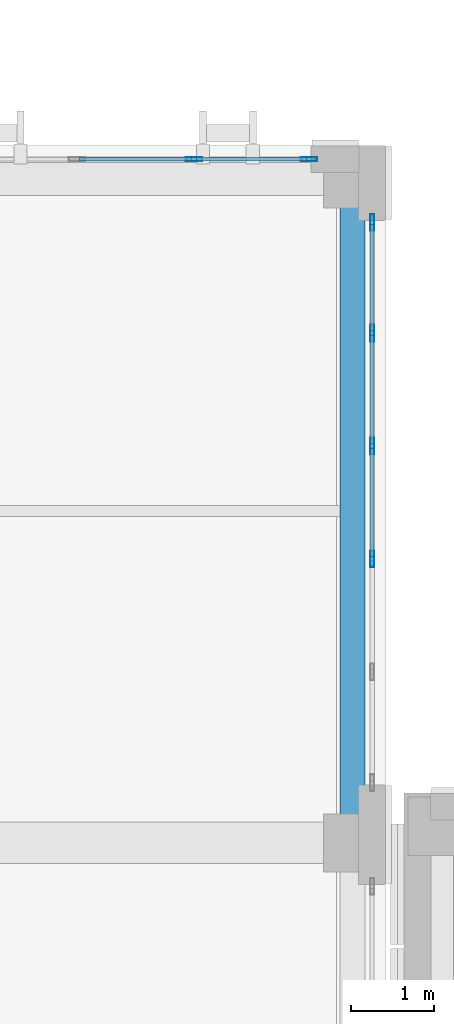
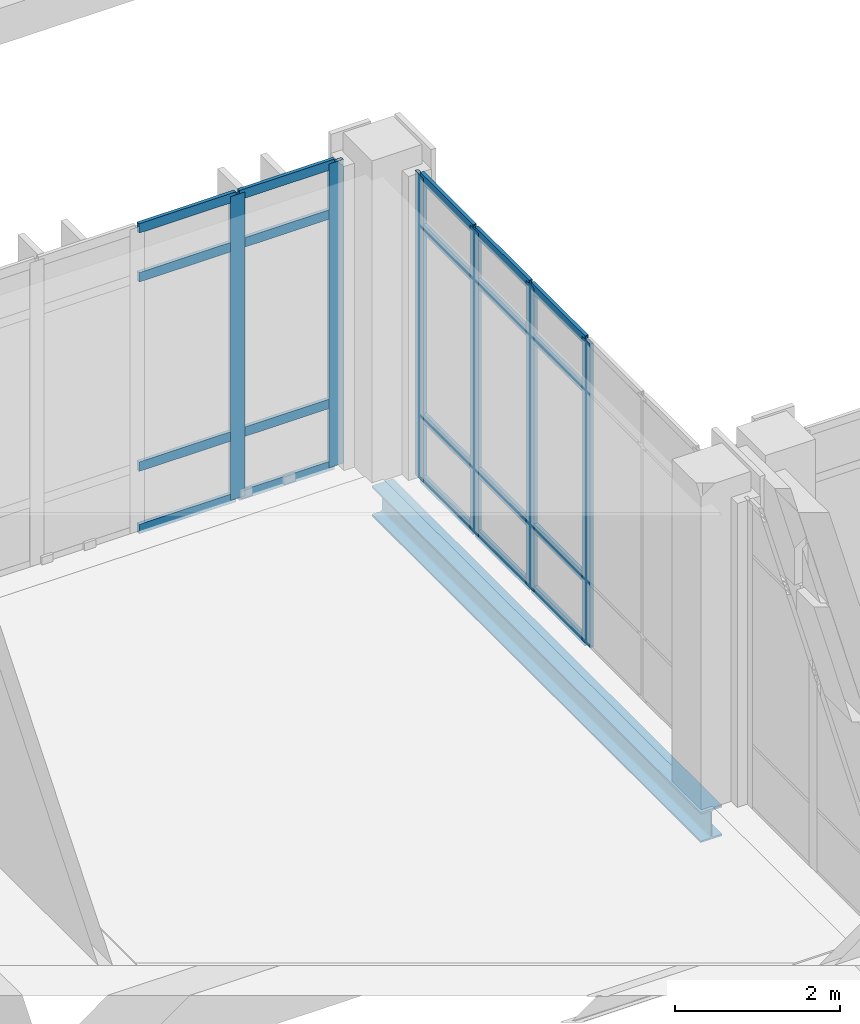
# One storey, part 52 of 189: 26 members, 1 beam, 2 elements without a shape of their own.
"""IFC4 building model written with IfcOpenShell, lengths in metres."""

from ifc_helpers import new_model, si_unit, direction, frame, origin, origin_2d, place, context, subcontext, project, spatial, hollow_rectangle, i_section, extrude, material, layer, layer_set, material_profile, profile_set, type_object, element, aggregate, save


model = new_model("IFC4")

# Units and contexts
model_context = context("Model", 3, precision=1e-05, world=origin(), true_north=direction((0.0, 1.0)))
body_context = subcontext(model_context, "Body", "Model", "MODEL_VIEW")
ifc_project = project(units=[si_unit("LENGTHUNIT", "METRE"), si_unit("AREAUNIT", "SQUARE_METRE"), si_unit("VOLUMEUNIT", "CUBIC_METRE"), si_unit("PLANEANGLEUNIT", "RADIAN"), si_unit("MASSUNIT", "GRAM", prefix="KILO")], contexts=[model_context])

# Site, building, storey
site_placement = place(None, origin())
site = spatial("IfcSite", under=ifc_project, at=site_placement, CompositionType="ELEMENT")
building_placement = place(site_placement, origin())
building = spatial("IfcBuilding", under=site, at=building_placement, Name="Qalavern Law Courts", CompositionType="ELEMENT")
storey_placement = place(building_placement, frame((0.0, 0.0, 5.39990234375)))
storey = spatial("IfcBuildingStorey", under=building, at=storey_placement, Name="L01", CompositionType="ELEMENT", Elevation=5.39990234375)

# Curtain wall, members
ifc_material_1 = material(Name="Anodised aluminium and insulated glazing", Category="aluminium")
ifc_layer = layer(ifc_material_1, 0.18505859375)
ifc_layer_set = layer_set([ifc_layer], Name="Anodised aluminium and insulated glazing")
curtain_wall_type = type_object("IfcCurtainWallType", Name="ENV-CW-HALL", PredefinedType="USERDEFINED", material=ifc_layer_set)
curtain_wall_1_placement = place(storey_placement, origin())
curtain_wall_1 = element("IfcCurtainWall", 1, at=curtain_wall_1_placement, inside=storey, type_object=curtain_wall_type, Name="V2 unitised curtain wall L01 east 2", ObjectType="UNITISED CURTAIN WALL", PredefinedType="USERDEFINED")
ifc_material_2 = material(Name="Anodised aluminium", Category="aluminium")
ifc_material_profile_1 = material_profile(ifc_material_2, hollow_rectangle(XDim=0.048095703125, YDim=0.199951171875, WallThickness=0.00439453125, at=origin_2d()), Name="ALU MULLION 48x200")
ifc_profile_set_1 = profile_set([ifc_material_profile_1], Name="Anodised aluminium")
member_type_1 = type_object("IfcMemberType", Name="ENV-CWM-48x200", PredefinedType="MULLION", material=ifc_profile_set_1)
member_1_placement = place(storey_placement, frame((101.03759765625, 25.419921875, 0.0), z_axis=(0.0, 0.0, 1.0), x_axis=(-1.0, 0.0, 0.0)))
member_1 = element("IfcMember", 2, at=member_1_placement, type_object=member_type_1, Name="CW-02 mullion 3", PredefinedType="MULLION", context=body_context, shape_type="SweptSolid", body=[
    extrude(hollow_rectangle(XDim=0.048095703125, YDim=0.199951171875, WallThickness=0.00439453125, at=origin_2d()), origin(), (0.0, 0.0, 1.0), 4.510009765625),
])
member_2_placement = place(storey_placement, frame((101.03759765625, 26.780029296875, 0.0), z_axis=(0.0, 0.0, 1.0), x_axis=(-1.0, 0.0, 0.0)))
member_2 = element("IfcMember", 3, at=member_2_placement, type_object=member_type_1, Name="CW-02 mullion 4", PredefinedType="MULLION", context=body_context, shape_type="SweptSolid", body=[
    extrude(hollow_rectangle(XDim=0.048095703125, YDim=0.199951171875, WallThickness=0.00439453125, at=origin_2d()), origin(), (0.0, 0.0, 1.0), 4.510009765625),
])
member_3_placement = place(storey_placement, frame((101.03759765625, 28.139892578125, 0.0), z_axis=(0.0, 0.0, 1.0), x_axis=(-1.0, 0.0, 0.0)))
member_3 = element("IfcMember", 4, at=member_3_placement, type_object=member_type_1, Name="CW-02 mullion 5", PredefinedType="MULLION", context=body_context, shape_type="SweptSolid", body=[
    extrude(hollow_rectangle(XDim=0.048095703125, YDim=0.199951171875, WallThickness=0.00439453125, at=origin_2d()), origin(), (0.0, 0.0, 1.0), 4.510009765625),
])
member_4_placement = place(storey_placement, frame((101.03759765625, 29.47607421875, 0.0), z_axis=(0.0, 0.0, 1.0), x_axis=(-1.0, 0.0, 0.0)))
member_4 = element("IfcMember", 5, at=member_4_placement, type_object=member_type_1, Name="CW-02 mullion 6", PredefinedType="MULLION", context=body_context, shape_type="SweptSolid", body=[
    extrude(hollow_rectangle(XDim=0.048095703125, YDim=0.199951171875, WallThickness=0.00439453125, at=origin_2d()), origin(), (0.0, 0.0, 1.0), 4.510009765625),
])

curtain_wall_2_placement = place(storey_placement, origin())
curtain_wall_2 = element("IfcCurtainWall", 6, at=curtain_wall_2_placement, inside=storey, type_object=curtain_wall_type, Name="V2 unitised curtain wall L01 north 1", ObjectType="UNITISED CURTAIN WALL", PredefinedType="USERDEFINED")
member_5_placement = place(storey_placement, frame((100.27587890625, 30.237548828125, 0.0), z_axis=(0.0, 0.0, 1.0), x_axis=(0.0, -1.0, 0.0)))
member_5 = element("IfcMember", 7, at=member_5_placement, type_object=member_type_1, Name="CW-02 mullion 1", PredefinedType="MULLION", context=body_context, shape_type="SweptSolid", body=[
    extrude(hollow_rectangle(XDim=0.048095703125, YDim=0.199951171875, WallThickness=0.00439453125, at=origin_2d()), origin(), (0.0, 0.0, 1.0), 4.510009765625),
])
member_6_placement = place(storey_placement, frame((98.890869140625, 30.237548828125, 0.0), z_axis=(0.0, 0.0, 1.0), x_axis=(0.0, -1.0, 0.0)))
member_6 = element("IfcMember", 8, at=member_6_placement, type_object=member_type_1, Name="CW-02 mullion 2", PredefinedType="MULLION", context=body_context, shape_type="SweptSolid", body=[
    extrude(hollow_rectangle(XDim=0.048095703125, YDim=0.199951171875, WallThickness=0.00439453125, at=origin_2d()), origin(), (0.0, 0.0, 1.0), 4.510009765625),
])

# Member
ifc_material_profile_2 = material_profile(ifc_material_2, hollow_rectangle(XDim=0.048095703125, YDim=0.139892578125, WallThickness=0.00390625, at=origin_2d()), Name="ALU TRANSOM 48x140")
ifc_profile_set_2 = profile_set([ifc_material_profile_2], Name="Anodised aluminium")
member_type_2 = type_object("IfcMemberType", Name="ENV-CWT-48x140", PredefinedType="USERDEFINED", material=ifc_profile_set_2)
member_7_placement = place(storey_placement, frame((101.03759765625, 25.444091796875, 0.024169921875), z_axis=(0.0, 1.0, 0.0), x_axis=(-1.0, 0.0, 0.0)))
member_7 = element("IfcMember", 9, at=member_7_placement, type_object=member_type_2, Name="CW-02 transom 3.1", ObjectType="TRANSOM", PredefinedType="USERDEFINED", context=body_context, shape_type="SweptSolid", body=[
    extrude(hollow_rectangle(XDim=0.048095703125, YDim=0.139892578125, WallThickness=0.00390625, at=origin_2d()), origin(), (0.0, 0.0, 1.0), 1.31201171875),
])

member_8_placement = place(storey_placement, frame((101.03759765625, 25.444091796875, 0.9501953125), z_axis=(0.0, 1.0, 0.0), x_axis=(-1.0, 0.0, 0.0)))
member_8 = element("IfcMember", 10, at=member_8_placement, type_object=member_type_2, Name="CW-02 transom 3.2", ObjectType="TRANSOM", PredefinedType="USERDEFINED", context=body_context, shape_type="SweptSolid", body=[
    extrude(hollow_rectangle(XDim=0.048095703125, YDim=0.139892578125, WallThickness=0.00390625, at=origin_2d()), origin(), (0.0, 0.0, 1.0), 1.31201171875),
])

member_9_placement = place(storey_placement, frame((101.03759765625, 25.444091796875, 3.760009765625), z_axis=(0.0, 1.0, 0.0), x_axis=(-1.0, 0.0, 0.0)))
member_9 = element("IfcMember", 11, at=member_9_placement, type_object=member_type_2, Name="CW-02 transom 3.3", ObjectType="TRANSOM", PredefinedType="USERDEFINED", context=body_context, shape_type="SweptSolid", body=[
    extrude(hollow_rectangle(XDim=0.048095703125, YDim=0.139892578125, WallThickness=0.00390625, at=origin_2d()), origin(), (0.0, 0.0, 1.0), 1.31201171875),
])

member_10_placement = place(storey_placement, frame((101.03759765625, 25.444091796875, 4.486083984375), z_axis=(0.0, 1.0, 0.0), x_axis=(-1.0, 0.0, 0.0)))
member_10 = element("IfcMember", 12, at=member_10_placement, type_object=member_type_2, Name="CW-02 transom 3.4", ObjectType="TRANSOM", PredefinedType="USERDEFINED", context=body_context, shape_type="SweptSolid", body=[
    extrude(hollow_rectangle(XDim=0.048095703125, YDim=0.139892578125, WallThickness=0.00390625, at=origin_2d()), origin(), (0.0, 0.0, 1.0), 1.31201171875),
])

member_11_placement = place(storey_placement, frame((101.03759765625, 26.803955078125, 0.024169921875), z_axis=(0.0, 1.0, 0.0), x_axis=(-1.0, 0.0, 0.0)))
member_11 = element("IfcMember", 13, at=member_11_placement, type_object=member_type_2, Name="CW-02 transom 4.1", ObjectType="TRANSOM", PredefinedType="USERDEFINED", context=body_context, shape_type="SweptSolid", body=[
    extrude(hollow_rectangle(XDim=0.048095703125, YDim=0.139892578125, WallThickness=0.00390625, at=origin_2d()), origin(), (0.0, 0.0, 1.0), 1.31201171875),
])

member_12_placement = place(storey_placement, frame((101.03759765625, 26.803955078125, 0.9501953125), z_axis=(0.0, 1.0, 0.0), x_axis=(-1.0, 0.0, 0.0)))
member_12 = element("IfcMember", 14, at=member_12_placement, type_object=member_type_2, Name="CW-02 transom 4.2", ObjectType="TRANSOM", PredefinedType="USERDEFINED", context=body_context, shape_type="SweptSolid", body=[
    extrude(hollow_rectangle(XDim=0.048095703125, YDim=0.139892578125, WallThickness=0.00390625, at=origin_2d()), origin(), (0.0, 0.0, 1.0), 1.31201171875),
])

member_13_placement = place(storey_placement, frame((101.03759765625, 26.803955078125, 3.760009765625), z_axis=(0.0, 1.0, 0.0), x_axis=(-1.0, 0.0, 0.0)))
member_13 = element("IfcMember", 15, at=member_13_placement, type_object=member_type_2, Name="CW-02 transom 4.3", ObjectType="TRANSOM", PredefinedType="USERDEFINED", context=body_context, shape_type="SweptSolid", body=[
    extrude(hollow_rectangle(XDim=0.048095703125, YDim=0.139892578125, WallThickness=0.00390625, at=origin_2d()), origin(), (0.0, 0.0, 1.0), 1.31201171875),
])

member_14_placement = place(storey_placement, frame((101.03759765625, 26.803955078125, 4.486083984375), z_axis=(0.0, 1.0, 0.0), x_axis=(-1.0, 0.0, 0.0)))
member_14 = element("IfcMember", 16, at=member_14_placement, type_object=member_type_2, Name="CW-02 transom 4.4", ObjectType="TRANSOM", PredefinedType="USERDEFINED", context=body_context, shape_type="SweptSolid", body=[
    extrude(hollow_rectangle(XDim=0.048095703125, YDim=0.139892578125, WallThickness=0.00390625, at=origin_2d()), origin(), (0.0, 0.0, 1.0), 1.31201171875),
])

member_15_placement = place(storey_placement, frame((101.03759765625, 28.1640625, 0.024169921875), z_axis=(0.0, 1.0, 0.0), x_axis=(-1.0, 0.0, 0.0)))
member_15 = element("IfcMember", 17, at=member_15_placement, type_object=member_type_2, Name="CW-02 transom 5.1", ObjectType="TRANSOM", PredefinedType="USERDEFINED", context=body_context, shape_type="SweptSolid", body=[
    extrude(hollow_rectangle(XDim=0.048095703125, YDim=0.139892578125, WallThickness=0.00390625, at=origin_2d()), origin(), (0.0, 0.0, 1.0), 1.287841796875),
])

member_16_placement = place(storey_placement, frame((101.03759765625, 28.1640625, 0.9501953125), z_axis=(0.0, 1.0, 0.0), x_axis=(-1.0, 0.0, 0.0)))
member_16 = element("IfcMember", 18, at=member_16_placement, type_object=member_type_2, Name="CW-02 transom 5.2", ObjectType="TRANSOM", PredefinedType="USERDEFINED", context=body_context, shape_type="SweptSolid", body=[
    extrude(hollow_rectangle(XDim=0.048095703125, YDim=0.139892578125, WallThickness=0.00390625, at=origin_2d()), origin(), (0.0, 0.0, 1.0), 1.287841796875),
])

member_17_placement = place(storey_placement, frame((101.03759765625, 28.1640625, 3.760009765625), z_axis=(0.0, 1.0, 0.0), x_axis=(-1.0, 0.0, 0.0)))
member_17 = element("IfcMember", 19, at=member_17_placement, type_object=member_type_2, Name="CW-02 transom 5.3", ObjectType="TRANSOM", PredefinedType="USERDEFINED", context=body_context, shape_type="SweptSolid", body=[
    extrude(hollow_rectangle(XDim=0.048095703125, YDim=0.139892578125, WallThickness=0.00390625, at=origin_2d()), origin(), (0.0, 0.0, 1.0), 1.287841796875),
])

member_18_placement = place(storey_placement, frame((101.03759765625, 28.1640625, 4.486083984375), z_axis=(0.0, 1.0, 0.0), x_axis=(-1.0, 0.0, 0.0)))
member_18 = element("IfcMember", 20, at=member_18_placement, type_object=member_type_2, Name="CW-02 transom 5.4", ObjectType="TRANSOM", PredefinedType="USERDEFINED", context=body_context, shape_type="SweptSolid", body=[
    extrude(hollow_rectangle(XDim=0.048095703125, YDim=0.139892578125, WallThickness=0.00390625, at=origin_2d()), origin(), (0.0, 0.0, 1.0), 1.287841796875),
])

aggregate(curtain_wall_1, [member_1, member_2, member_3, member_4, member_7, member_8, member_9, member_10, member_11, member_12, member_13, member_14, member_15, member_16, member_17, member_18])

member_19_placement = place(storey_placement, frame((100.251953125, 30.237548828125, 0.024169921875), z_axis=(-1.0, 0.0, 0.0), x_axis=(0.0, -1.0, 0.0)))
member_19 = element("IfcMember", 21, at=member_19_placement, type_object=member_type_2, Name="CW-02 transom 1.1", ObjectType="TRANSOM", PredefinedType="USERDEFINED", context=body_context, shape_type="SweptSolid", body=[
    extrude(hollow_rectangle(XDim=0.048095703125, YDim=0.139892578125, WallThickness=0.00390625, at=origin_2d()), origin(), (0.0, 0.0, 1.0), 1.3369140625),
])

member_20_placement = place(storey_placement, frame((100.251953125, 30.237548828125, 0.9501953125), z_axis=(-1.0, 0.0, 0.0), x_axis=(0.0, -1.0, 0.0)))
member_20 = element("IfcMember", 22, at=member_20_placement, type_object=member_type_2, Name="CW-02 transom 1.2", ObjectType="TRANSOM", PredefinedType="USERDEFINED", context=body_context, shape_type="SweptSolid", body=[
    extrude(hollow_rectangle(XDim=0.048095703125, YDim=0.139892578125, WallThickness=0.00390625, at=origin_2d()), origin(), (0.0, 0.0, 1.0), 1.3369140625),
])

member_21_placement = place(storey_placement, frame((100.251953125, 30.237548828125, 3.760009765625), z_axis=(-1.0, 0.0, 0.0), x_axis=(0.0, -1.0, 0.0)))
member_21 = element("IfcMember", 23, at=member_21_placement, type_object=member_type_2, Name="CW-02 transom 1.3", ObjectType="TRANSOM", PredefinedType="USERDEFINED", context=body_context, shape_type="SweptSolid", body=[
    extrude(hollow_rectangle(XDim=0.048095703125, YDim=0.139892578125, WallThickness=0.00390625, at=origin_2d()), origin(), (0.0, 0.0, 1.0), 1.3369140625),
])

member_22_placement = place(storey_placement, frame((100.251953125, 30.237548828125, 4.486083984375), z_axis=(-1.0, 0.0, 0.0), x_axis=(0.0, -1.0, 0.0)))
member_22 = element("IfcMember", 24, at=member_22_placement, type_object=member_type_2, Name="CW-02 transom 1.4", ObjectType="TRANSOM", PredefinedType="USERDEFINED", context=body_context, shape_type="SweptSolid", body=[
    extrude(hollow_rectangle(XDim=0.048095703125, YDim=0.139892578125, WallThickness=0.00390625, at=origin_2d()), origin(), (0.0, 0.0, 1.0), 1.3369140625),
])

member_23_placement = place(storey_placement, frame((98.866943359375, 30.237548828125, 0.024169921875), z_axis=(-1.0, 0.0, 0.0), x_axis=(0.0, -1.0, 0.0)))
member_23 = element("IfcMember", 25, at=member_23_placement, type_object=member_type_2, Name="CW-02 transom 2.1", ObjectType="TRANSOM", PredefinedType="USERDEFINED", context=body_context, shape_type="SweptSolid", body=[
    extrude(hollow_rectangle(XDim=0.048095703125, YDim=0.139892578125, WallThickness=0.00390625, at=origin_2d()), origin(), (0.0, 0.0, 1.0), 1.361083984375),
])

member_24_placement = place(storey_placement, frame((98.866943359375, 30.237548828125, 0.9501953125), z_axis=(-1.0, 0.0, 0.0), x_axis=(0.0, -1.0, 0.0)))
member_24 = element("IfcMember", 26, at=member_24_placement, type_object=member_type_2, Name="CW-02 transom 2.2", ObjectType="TRANSOM", PredefinedType="USERDEFINED", context=body_context, shape_type="SweptSolid", body=[
    extrude(hollow_rectangle(XDim=0.048095703125, YDim=0.139892578125, WallThickness=0.00390625, at=origin_2d()), origin(), (0.0, 0.0, 1.0), 1.361083984375),
])

member_25_placement = place(storey_placement, frame((98.866943359375, 30.237548828125, 3.760009765625), z_axis=(-1.0, 0.0, 0.0), x_axis=(0.0, -1.0, 0.0)))
member_25 = element("IfcMember", 27, at=member_25_placement, type_object=member_type_2, Name="CW-02 transom 2.3", ObjectType="TRANSOM", PredefinedType="USERDEFINED", context=body_context, shape_type="SweptSolid", body=[
    extrude(hollow_rectangle(XDim=0.048095703125, YDim=0.139892578125, WallThickness=0.00390625, at=origin_2d()), origin(), (0.0, 0.0, 1.0), 1.361083984375),
])

member_26_placement = place(storey_placement, frame((98.866943359375, 30.237548828125, 4.486083984375), z_axis=(-1.0, 0.0, 0.0), x_axis=(0.0, -1.0, 0.0)))
member_26 = element("IfcMember", 28, at=member_26_placement, type_object=member_type_2, Name="CW-02 transom 2.4", ObjectType="TRANSOM", PredefinedType="USERDEFINED", context=body_context, shape_type="SweptSolid", body=[
    extrude(hollow_rectangle(XDim=0.048095703125, YDim=0.139892578125, WallThickness=0.00390625, at=origin_2d()), origin(), (0.0, 0.0, 1.0), 1.361083984375),
])

aggregate(curtain_wall_2, [member_5, member_6, member_19, member_20, member_21, member_22, member_23, member_24, member_25, member_26])

# Beam
ifc_material_3 = material(Name="Steel S355", Category="steel")
ifc_material_profile_3 = material_profile(ifc_material_3, i_section(OverallWidth=0.300048828125, OverallDepth=0.449951171875, WebThickness=0.013916015625, FlangeThickness=0.02587890625, FilletRadius=0.027099609375, at=origin_2d()), Name="HEB 450")
ifc_profile_set_3 = profile_set([ifc_material_profile_3], Name="Steel S355")
beam_type = type_object("IfcBeamType", Name="STR-SP-HEB450", PredefinedType="SPANDREL", material=ifc_profile_set_3)
beam_placement = place(storey_placement, frame((100.800048828125, 22.0, -0.52490234375), z_axis=(0.0, 1.0, 0.0), x_axis=(-1.0, 0.0, 0.0)))
element("IfcBeam", 29, at=beam_placement, inside=storey, type_object=beam_type, Name="V2 Y-beam 8-3 L01", PredefinedType="SPANDREL", context=body_context, shape_type="SweptSolid", body=[
    extrude(i_section(OverallWidth=0.300048828125, OverallDepth=0.449951171875, WebThickness=0.013916015625, FlangeThickness=0.02587890625, FilletRadius=0.027099609375, at=origin_2d()), origin(), (0.0, 0.0, 1.0), 8.0),
])

save(model, "model.ifc")
